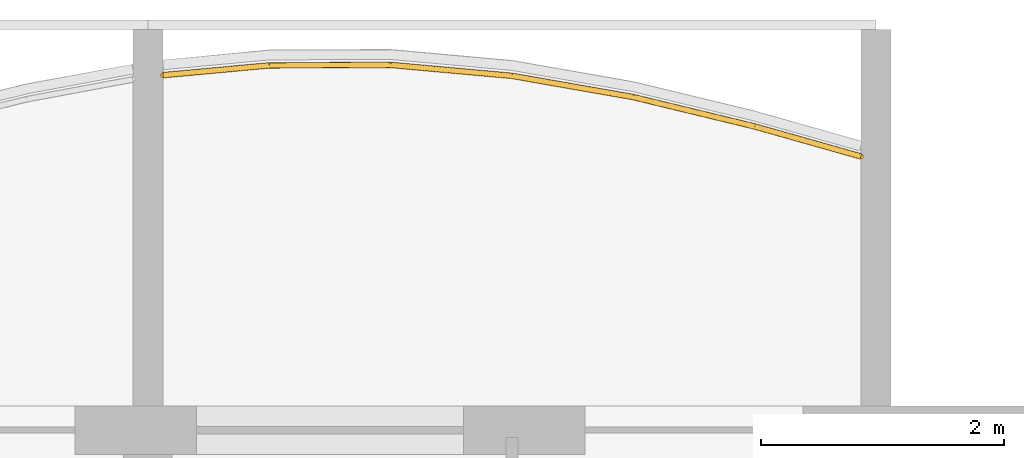
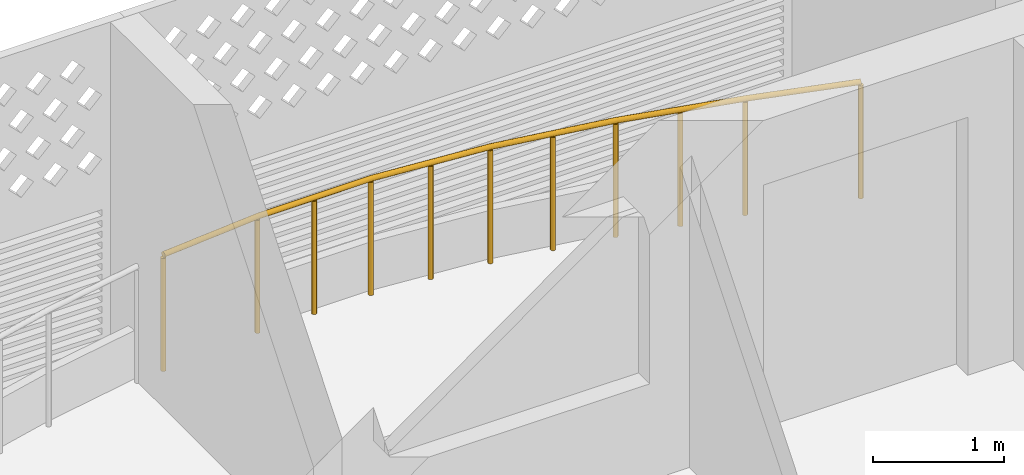
# One storey, part 37 of 38: 1 railing.
"""IFC4 building model written with IfcOpenShell, lengths in metres."""

from ifc_helpers import new_model, si_unit, direction, frame, origin, origin_2d, place, context, subcontext, project, spatial, circle, extrude, material, type_object, element, save


model = new_model("IFC4")

# Units and contexts
model_context = context("Model", 3, precision=1e-05, world=origin(), true_north=direction((0.0, 1.0)))
body_context = subcontext(model_context, "Body", "Model", "MODEL_VIEW")
ifc_project = project(units=[si_unit("LENGTHUNIT", "METRE"), si_unit("AREAUNIT", "SQUARE_METRE"), si_unit("VOLUMEUNIT", "CUBIC_METRE"), si_unit("PLANEANGLEUNIT", "RADIAN"), si_unit("MASSUNIT", "GRAM", prefix="KILO")], contexts=[model_context])

# Site, building, storey
site_placement = place(None, origin())
site = spatial("IfcSite", under=ifc_project, at=site_placement, CompositionType="ELEMENT")
building_placement = place(site_placement, origin())
building = spatial("IfcBuilding", under=site, at=building_placement, Name="Poui Terraces", CompositionType="ELEMENT")
storey_placement = place(building_placement, frame((0.0, 0.0, 49.800048828125)))
storey = spatial("IfcBuildingStorey", under=building, at=storey_placement, Name="L13", CompositionType="ELEMENT", Elevation=49.800048828125)

# Railing
ifc_material = material(Name="Painted steel fretwork", Category="steel")
railing_type = type_object("IfcRailingType", Name="BALCONY GUARD 1100", PredefinedType="GUARDRAIL", material=ifc_material)
railing_placement = place(storey_placement, frame((90.125, 47.725341796875, 0.0)))
element("IfcRailing", 1, at=railing_placement, inside=storey, type_object=railing_type, Name="BALCONY GUARD", PredefinedType="GUARDRAIL", context=body_context, shape_type="SweptSolid", body=[
    extrude(circle(Radius=0.02392578125, at=origin_2d()), frame((0.0, 0.0, 1.076171875), z_axis=(0.995787779444, 0.091688048889, 0.0), x_axis=(-0.091688048889, 0.995787779444, 0.0)), (0.0, 0.0, 1.0), 0.878662109375),
    extrude(circle(Radius=0.02392578125, at=origin_2d()), frame((0.875, 0.08056640625, 1.076171875), z_axis=(0.999992370693, 0.003906220198, 0.0), x_axis=(-0.003906220198, 0.999992370693, 0.0)), (0.0, 0.0, 1.0), 1.0),
    extrude(circle(Radius=0.02392578125, at=origin_2d()), frame((1.875, 0.08447265625, 1.076171875), z_axis=(0.995966620108, -0.089724531938, 0.0), x_axis=(0.089724531938, 0.995966620108, 0.0)), (0.0, 0.0, 1.0), 1.004150390625),
    extrude(circle(Radius=0.02392578125, at=origin_2d()), frame((2.875, -0.005615234375, 1.076171875), z_axis=(0.985022299221, -0.172426999156, 0.0), x_axis=(0.172426999156, 0.985022299221, 0.0)), (0.0, 0.0, 1.0), 1.01513671875),
    extrude(circle(Radius=0.02392578125, at=origin_2d()), frame((3.875, -0.1806640625, 1.076171875), z_axis=(0.97195702449, -0.235158547673, 0.0), x_axis=(0.235158547673, 0.97195702449, 0.0)), (0.0, 0.0, 1.0), 1.02880859375),
    extrude(circle(Radius=0.02392578125, at=origin_2d()), frame((4.875, -0.422607421875, 1.076171875), z_axis=(0.962370485881, -0.271740773357, 0.0), x_axis=(0.271740773357, 0.962370485881, 0.0)), (0.0, 0.0, 1.0), 0.9091796875),
    extrude(circle(Radius=0.02099609375, at=origin_2d()), origin(), (0.0, 0.0, 1.0), 1.052001953125),
    extrude(circle(Radius=0.02099609375, at=origin_2d()), frame((0.875, 0.08056640625, 0.0)), (0.0, 0.0, 1.0), 1.052001953125),
    extrude(circle(Radius=0.02099609375, at=origin_2d()), frame((1.375, 0.08251953125, 0.0)), (0.0, 0.0, 1.0), 1.052001953125),
    extrude(circle(Radius=0.02099609375, at=origin_2d()), frame((1.875, 0.08447265625, 0.0)), (0.0, 0.0, 1.0), 1.052001953125),
    extrude(circle(Radius=0.02099609375, at=origin_2d()), frame((2.375, 0.03955078125, 0.0)), (0.0, 0.0, 1.0), 1.052001953125),
    extrude(circle(Radius=0.02099609375, at=origin_2d()), frame((2.875, -0.005615234375, 0.0)), (0.0, 0.0, 1.0), 1.052001953125),
    extrude(circle(Radius=0.02099609375, at=origin_2d()), frame((3.375, -0.09326171875, 0.0)), (0.0, 0.0, 1.0), 1.052001953125),
    extrude(circle(Radius=0.02099609375, at=origin_2d()), frame((3.875, -0.1806640625, 0.0)), (0.0, 0.0, 1.0), 1.052001953125),
    extrude(circle(Radius=0.02099609375, at=origin_2d()), frame((4.375, -0.3017578125, 0.0)), (0.0, 0.0, 1.0), 1.052001953125),
    extrude(circle(Radius=0.02099609375, at=origin_2d()), frame((4.875, -0.422607421875, 0.0)), (0.0, 0.0, 1.0), 1.052001953125),
    extrude(circle(Radius=0.02099609375, at=origin_2d()), frame((5.75, -0.669677734375, 0.0)), (0.0, 0.0, 1.0), 1.052001953125),
])

save(model, "model.ifc")
